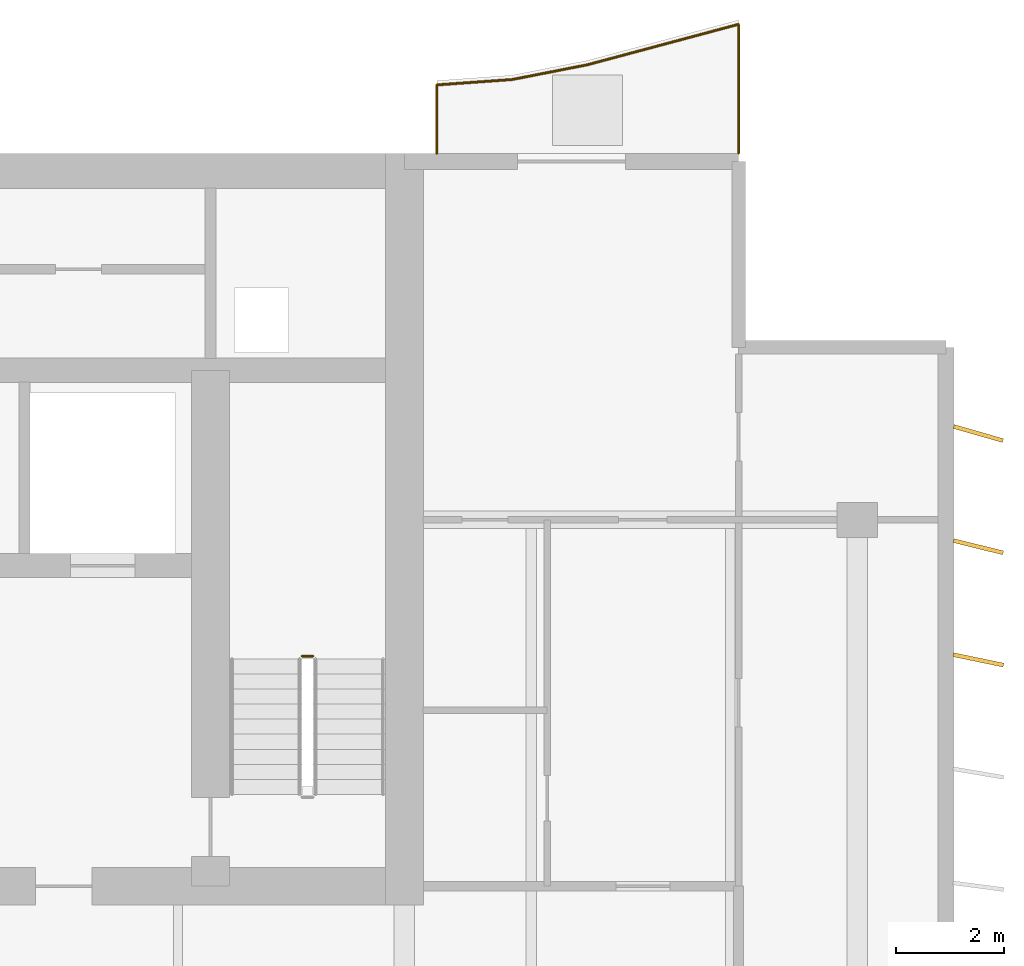
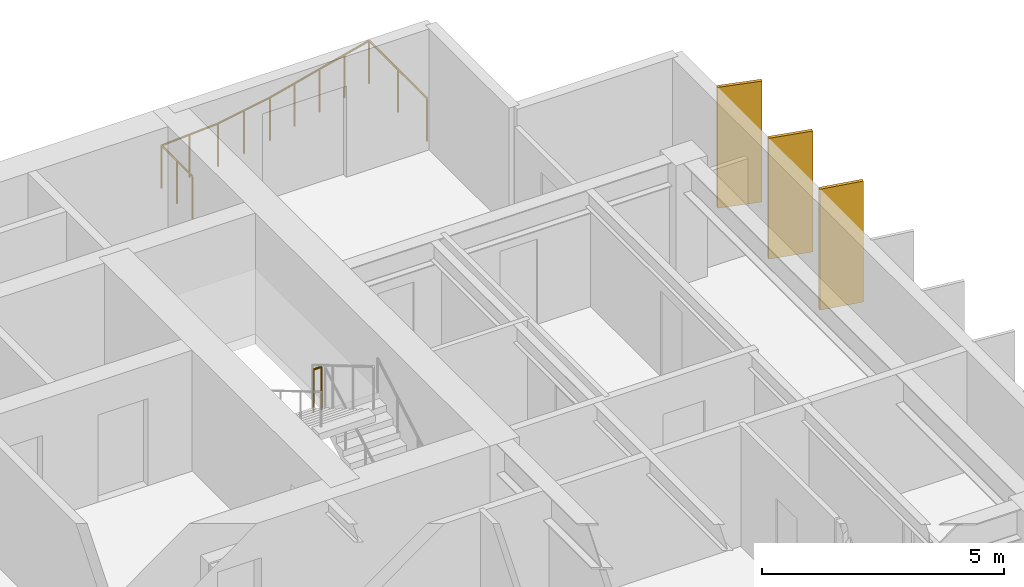
# One storey, part 17 of 17: 3 shading devices, 2 railings.
"""IFC4 building model written with IfcOpenShell, lengths in metres."""

from ifc_helpers import new_model, si_unit, direction, frame, origin, origin_2d, place, context, subcontext, project, spatial, rectangle, circle, extrude, material, material_profile, profile_set, type_object, element, save


model = new_model("IFC4")

# Units and contexts
model_context = context("Model", 3, precision=1e-05, world=origin(), true_north=direction((0.0, 1.0)))
body_context = subcontext(model_context, "Body", "Model", "MODEL_VIEW")
ifc_project = project(units=[si_unit("LENGTHUNIT", "METRE"), si_unit("AREAUNIT", "SQUARE_METRE"), si_unit("VOLUMEUNIT", "CUBIC_METRE"), si_unit("PLANEANGLEUNIT", "RADIAN"), si_unit("MASSUNIT", "GRAM", prefix="KILO")], contexts=[model_context])

# Site, building, storey
site_placement = place(None, origin())
site = spatial("IfcSite", under=ifc_project, at=site_placement, CompositionType="ELEMENT")
building_placement = place(site_placement, origin())
building = spatial("IfcBuilding", under=site, at=building_placement, Name="Caelmar Bay Residences", CompositionType="ELEMENT")
storey_placement = place(building_placement, frame((0.0, 0.0, 262.800048828125)))
storey = spatial("IfcBuildingStorey", under=building, at=storey_placement, Name="L74", CompositionType="ELEMENT", Elevation=262.800048828125)

# Railings
ifc_material_1 = material(Name="Anodised bronze handrail with laminated hurricane glass infill", Category="glass")
railing_type_1 = type_object("IfcRailingType", Name="RL-BAL-1100", PredefinedType="BALUSTRADE", material=ifc_material_1)
railing_1_placement = place(storey_placement, frame((65.699951171875, 50.60009765625, 0.0)))
element("IfcRailing", 1, at=railing_1_placement, inside=storey, type_object=railing_type_1, Name="L74 north_east Balcony Balustrade", PredefinedType="BALUSTRADE", context=body_context, shape_type="SweptSolid", body=[
    extrude(circle(Radius=0.02392578125, at=origin_2d()), frame((0.0, 0.0, 1.076171875), z_axis=(0.0, 1.0, 0.0), x_axis=(-1.0, 0.0, 0.0)), (0.0, 0.0, 1.0), 2.39501953125),
    extrude(circle(Radius=0.02392578125, at=origin_2d()), frame((0.0, 2.39501953125, 1.076171875), z_axis=(-0.965943540406, -0.258752926066, 0.0), x_axis=(0.258752926066, -0.965943540406, 0.0)), (0.0, 0.0, 1.0), 1.44921875),
    extrude(circle(Radius=0.02392578125, at=origin_2d()), frame((-1.39990234375, 2.02001953125, 1.076171875), z_axis=(-0.965954816498, -0.258710827923, 0.0), x_axis=(0.258710827923, -0.965954816498, 0.0)), (0.0, 0.0, 1.0), 1.449462890625),
    extrude(circle(Radius=0.02392578125, at=origin_2d()), frame((-2.800048828125, 1.64501953125, 1.076171875), z_axis=(-0.981291567128, -0.192527557206, 0.0), x_axis=(0.192527557206, -0.981291567128, 0.0)), (0.0, 0.0, 1.0), 1.426513671875),
    extrude(circle(Radius=0.02392578125, at=origin_2d()), frame((-4.199951171875, 1.370361328125, 1.076171875), z_axis=(-0.997441009083, -0.07149428928, 0.0), x_axis=(0.07149428928, -0.997441009083, 0.0)), (0.0, 0.0, 1.0), 1.403564453125),
    extrude(circle(Radius=0.02392578125, at=origin_2d()), frame((-5.599853515625, 1.27001953125, 1.076171875), z_axis=(0.0, -1.0, 0.0), x_axis=(1.0, 0.0, 0.0)), (0.0, 0.0, 1.0), 1.27001953125),
    extrude(circle(Radius=0.02099609375, at=origin_2d()), origin(), (0.0, 0.0, 1.0), 1.052001953125),
    extrude(circle(Radius=0.02099609375, at=origin_2d()), frame((0.0, 1.197509765625, 0.0)), (0.0, 0.0, 1.0), 1.052001953125),
    extrude(circle(Radius=0.02099609375, at=origin_2d()), frame((0.0, 2.39501953125, 0.0)), (0.0, 0.0, 1.0), 1.052001953125),
    extrude(circle(Radius=0.02099609375, at=origin_2d()), frame((-0.699951171875, 2.20751953125, 0.0)), (0.0, 0.0, 1.0), 1.052001953125),
    extrude(circle(Radius=0.02099609375, at=origin_2d()), frame((-1.39990234375, 2.02001953125, 0.0)), (0.0, 0.0, 1.0), 1.052001953125),
    extrude(circle(Radius=0.02099609375, at=origin_2d()), frame((-2.10009765625, 1.83251953125, 0.0)), (0.0, 0.0, 1.0), 1.052001953125),
    extrude(circle(Radius=0.02099609375, at=origin_2d()), frame((-2.800048828125, 1.64501953125, 0.0)), (0.0, 0.0, 1.0), 1.052001953125),
    extrude(circle(Radius=0.02099609375, at=origin_2d()), frame((-3.5, 1.5078125, 0.0)), (0.0, 0.0, 1.0), 1.052001953125),
    extrude(circle(Radius=0.02099609375, at=origin_2d()), frame((-4.199951171875, 1.370361328125, 0.0)), (0.0, 0.0, 1.0), 1.052001953125),
    extrude(circle(Radius=0.02099609375, at=origin_2d()), frame((-4.89990234375, 1.3203125, 0.0)), (0.0, 0.0, 1.0), 1.052001953125),
    extrude(circle(Radius=0.02099609375, at=origin_2d()), frame((-5.599853515625, 1.27001953125, 0.0)), (0.0, 0.0, 1.0), 1.052001953125),
    extrude(circle(Radius=0.02099609375, at=origin_2d()), frame((-5.599853515625, 0.635009765625, 0.0)), (0.0, 0.0, 1.0), 1.052001953125),
    extrude(circle(Radius=0.02099609375, at=origin_2d()), frame((-5.599853515625, 0.0, 0.0)), (0.0, 0.0, 1.0), 1.052001953125),
])
ifc_material_2 = material(Name="Painted galvanized steel stair guard 1100 mm", Category="steel")
railing_type_2 = type_object("IfcRailingType", Name="RL-GRD-1100", PredefinedType="GUARDRAIL", material=ifc_material_2)
railing_2_placement = place(storey_placement, frame((57.800048828125, 41.27001953125, 1.64990234375)))
element("IfcRailing", 2, at=railing_2_placement, inside=storey, type_object=railing_type_2, Name="L74 ST2 stair guard 2", PredefinedType="GUARDRAIL", context=body_context, shape_type="SweptSolid", body=[
    extrude(circle(Radius=0.02392578125, at=origin_2d()), frame((0.0, 0.0, 1.076171875), z_axis=(-1.0, 0.0, 0.0), x_axis=(0.0, -1.0, 0.0)), (0.0, 0.0, 1.0), 0.199951171875),
    extrude(circle(Radius=0.02099609375, at=origin_2d()), origin(), (0.0, 0.0, 1.0), 1.052001953125),
    extrude(circle(Radius=0.02099609375, at=origin_2d()), frame((-0.199951171875, 0.0, 0.0)), (0.0, 0.0, 1.0), 1.052001953125),
])

# Shading devices
ifc_material_3 = material(Name="Anodised architectural bronze aluminium 6063-T6", Category="aluminium")
ifc_material_profile = material_profile(ifc_material_3, rectangle(XDim=0.074951171875, YDim=0.949951171875, at=origin_2d()), Name="BRONZE-FIN-75X950")
ifc_profile_set = profile_set([ifc_material_profile], Name="Anodised architectural bronze aluminium 6063-T6")
shading_device_type = type_object("IfcShadingDeviceType", Name="SHD-FIN-950", PredefinedType="USERDEFINED", material=ifc_profile_set)
for number, where, z_axis, x_axis, name in (
    (3, (70.14990234375, 41.199951171875, 0.0), (0.0, 0.0, 1.0), (0.2032999874, 0.979116497217, 0.0), "L74 East Bronze Solar Fin 14"),
    (4, (70.14990234375, 43.300048828125, 0.0), (0.0, 0.0, 1.0), (0.239719743609, 0.970842131618, 0.0), "L74 East Bronze Solar Fin 15"),
    (5, (70.14990234375, 45.39990234375, 0.0), (0.0, 0.0, 1.0), (0.275637355817, 0.961261695938, 0.0), "L74 East Bronze Solar Fin 16"),
):
    element("IfcShadingDevice", number, at=place(storey_placement, frame(where, z_axis=z_axis, x_axis=x_axis)), inside=storey, type_object=shading_device_type, Name=name, ObjectType="FIN", PredefinedType="USERDEFINED", context=body_context, shape_type="SweptSolid", body=[
        extrude(rectangle(XDim=0.074951171875, YDim=0.949951171875, at=origin_2d()), origin(), (0.0, 0.0, 1.0), 3.050048828125),
    ])

save(model, "model.ifc")
